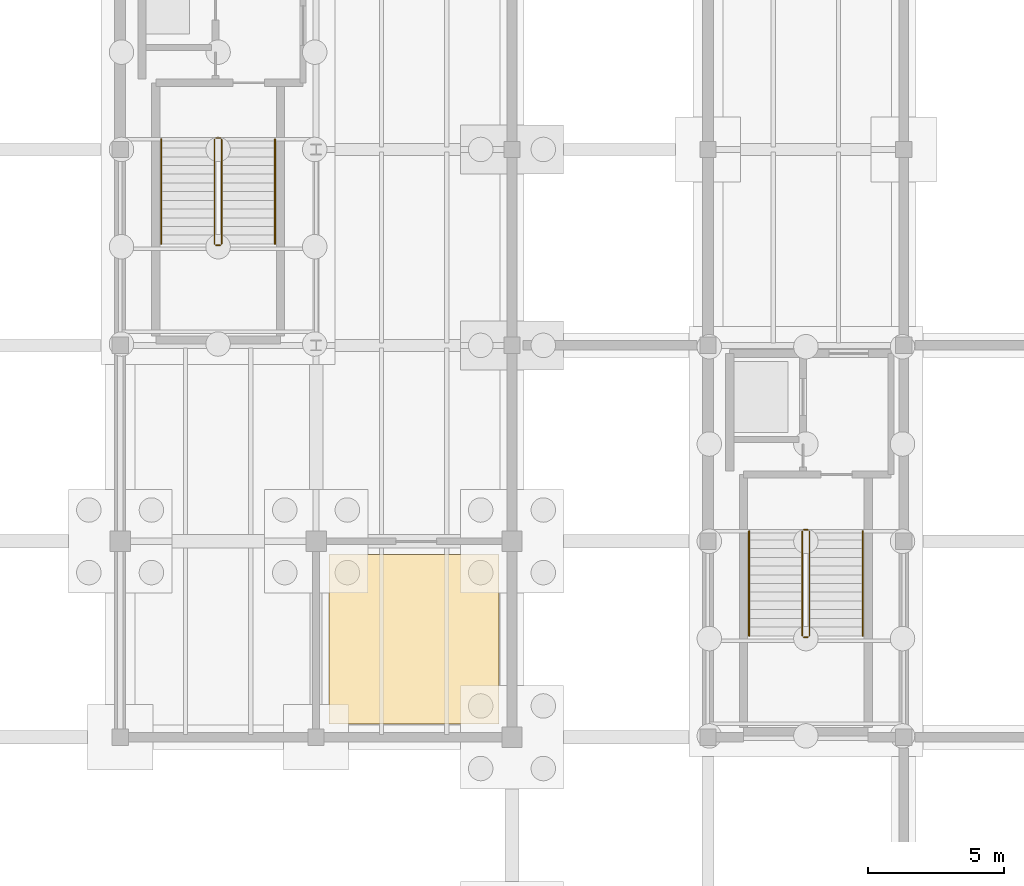
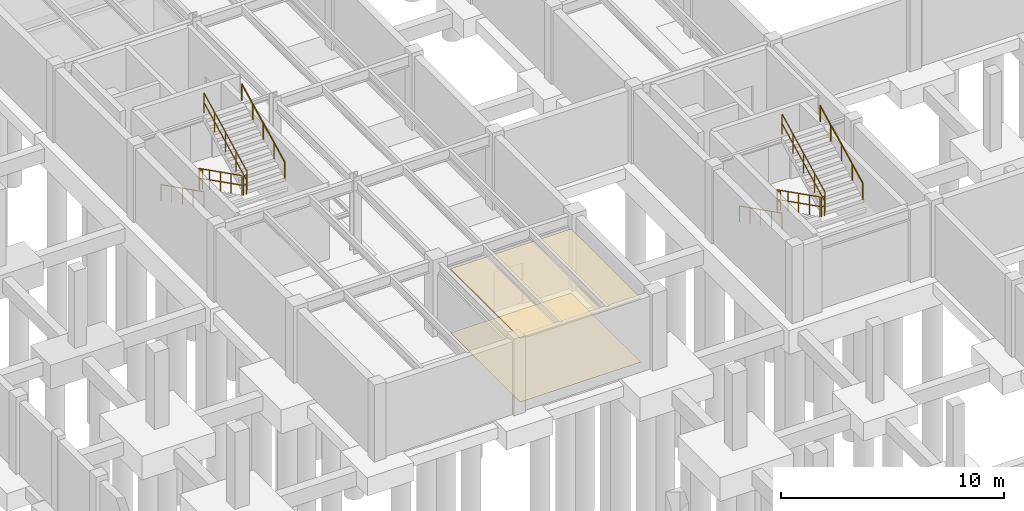
# One storey, part 40 of 46: 12 railings, 2 coverings.
"""IFC4 building model written with IfcOpenShell, lengths in metres."""

from ifc_helpers import new_model, si_unit, direction, frame, origin, origin_2d, place, context, subcontext, project, spatial, polyline, circle, outline, extrude, material, layer, layer_set, type_object, element, save


model = new_model("IFC4")

# Units and contexts
model_context = context("Model", 3, precision=1e-05, world=origin(), true_north=direction((0.0, 1.0)))
body_context = subcontext(model_context, "Body", "Model", "MODEL_VIEW")
ifc_project = project(units=[si_unit("LENGTHUNIT", "METRE"), si_unit("AREAUNIT", "SQUARE_METRE"), si_unit("VOLUMEUNIT", "CUBIC_METRE"), si_unit("PLANEANGLEUNIT", "RADIAN"), si_unit("MASSUNIT", "GRAM", prefix="KILO")], contexts=[model_context])

# Site, building, storey
site_placement = place(None, origin())
site = spatial("IfcSite", under=ifc_project, at=site_placement, CompositionType="ELEMENT")
building_placement = place(site_placement, origin())
building = spatial("IfcBuilding", under=site, at=building_placement, Name="Sillqori Civic Hall", CompositionType="ELEMENT")
storey_placement = place(building_placement, frame((0.0, 0.0, -4.199951171875)))
storey = spatial("IfcBuildingStorey", under=building, at=storey_placement, Name="B01", CompositionType="ELEMENT", Elevation=-4.199951171875)

# Coverings
ifc_material_1 = material(Name="Andean Cedar Slatted Baffle 52", Category="timber")
ifc_layer_1 = layer(ifc_material_1, 0.052001953125)
ifc_layer_set_1 = layer_set([ifc_layer_1], Name="Andean Cedar Slatted Baffle 52")
covering_type_1 = type_object("IfcCoveringType", Name="COV-CEIL-T52", PredefinedType="CEILING", material=ifc_layer_set_1)
covering_1_placement = place(storey_placement, frame((0.0, 0.0, 3.47802734375)))
element("IfcCovering", 1, at=covering_1_placement, inside=storey, type_object=covering_type_1, Name="Main Medium-Voltage Transformer Room acoustic ceiling", PredefinedType="CEILING", context=body_context, shape_type="SweptSolid", body=[
    extrude(outline(polyline([(29.280029296875, 36.47998046875), (35.52001953125, 36.47998046875), (35.52001953125, 42.719970703125), (29.280029296875, 42.719970703125), (29.280029296875, 36.47998046875)])), origin(), (0.0, 0.0, 1.0), 0.052001953125),
])
ifc_material_2 = material(Name="Dust-Sealed Heavy-Duty Archive Epoxy", Category="resin")
ifc_layer_2 = layer(ifc_material_2, 0.014892578125)
ifc_layer_set_2 = layer_set([ifc_layer_2], Name="Dust-Sealed Heavy-Duty Archive Epoxy")
covering_type_2 = type_object("IfcCoveringType", Name="COV-FLR-EPX", PredefinedType="FLOORING", material=ifc_layer_set_2)
covering_2_placement = place(storey_placement, origin())
element("IfcCovering", 2, at=covering_2_placement, inside=storey, type_object=covering_type_2, Name="Main Medium-Voltage Transformer Room floor finish", PredefinedType="FLOORING", context=body_context, shape_type="SweptSolid", body=[
    extrude(outline(polyline([(29.280029296875, 36.47998046875), (35.52001953125, 36.47998046875), (35.52001953125, 42.719970703125), (29.280029296875, 42.719970703125), (29.280029296875, 36.47998046875)])), origin(), (0.0, 0.0, 1.0), 0.014892578125),
])

# Railings
ifc_material_3 = material(Name="Brushed Stainless Steel 316 Handrail", Category="steel")
ifc_layer_3 = layer(ifc_material_3, 0.044921875)
ifc_layer_set_3 = layer_set([ifc_layer_3], Name="Brushed Stainless Steel 316 Handrail")
railing_type_1 = type_object("IfcRailingType", Name="RLG-CORE-092", PredefinedType="HANDRAIL", material=ifc_layer_set_3)
railing_1_placement = place(storey_placement, frame((44.7099609375, 43.570068359375, 0.161376953125)))
element("IfcRailing", 3, at=railing_1_placement, inside=storey, type_object=railing_type_1, Name="B01 ST-01 stair handrail 1", PredefinedType="HANDRAIL", context=body_context, shape_type="SweptSolid", body=[
    extrude(circle(Radius=0.02392578125, at=origin_2d()), frame((0.0, 0.0, 0.8759765625), z_axis=(0.0, -0.892706606903, 0.450638340569), x_axis=(1.0, 0.0, 0.0)), (0.0, 0.0, 1.0), 4.301513671875),
    extrude(circle(Radius=0.02099609375, at=origin_2d()), origin(), (0.0, 0.0, 1.0), 0.851806640625),
    extrude(circle(Radius=0.02099609375, at=origin_2d()), frame((0.0, -0.9599609375, 0.484619140625)), (0.0, 0.0, 1.0), 0.851806640625),
    extrude(circle(Radius=0.02099609375, at=origin_2d()), frame((0.0, -1.919921875, 0.96923828125)), (0.0, 0.0, 1.0), 0.851806640625),
    extrude(circle(Radius=0.02099609375, at=origin_2d()), frame((0.0, -2.880126953125, 1.453857421875)), (0.0, 0.0, 1.0), 0.851806640625),
    extrude(circle(Radius=0.02099609375, at=origin_2d()), frame((0.0, -3.840087890625, 1.9384765625)), (0.0, 0.0, 1.0), 0.851806640625),
])
railing_2_placement = place(storey_placement, frame((48.889892578125, 39.72998046875, 2.261474609375)))
element("IfcRailing", 4, at=railing_2_placement, inside=storey, type_object=railing_type_1, Name="B01 ST-01 stair handrail 2", PredefinedType="HANDRAIL", context=body_context, shape_type="SweptSolid", body=[
    extrude(circle(Radius=0.02392578125, at=origin_2d()), frame((0.0, 0.0, 0.8759765625), z_axis=(0.0, 0.892706606903, 0.450638340569), x_axis=(-1.0, 0.0, 0.0)), (0.0, 0.0, 1.0), 4.301513671875),
    extrude(circle(Radius=0.02099609375, at=origin_2d()), origin(), (0.0, 0.0, 1.0), 0.851806640625),
    extrude(circle(Radius=0.02099609375, at=origin_2d()), frame((0.0, 0.9599609375, 0.484619140625)), (0.0, 0.0, 1.0), 0.851806640625),
    extrude(circle(Radius=0.02099609375, at=origin_2d()), frame((0.0, 1.919921875, 0.96923828125)), (0.0, 0.0, 1.0), 0.851806640625),
    extrude(circle(Radius=0.02099609375, at=origin_2d()), frame((0.0, 2.880126953125, 1.453857421875)), (0.0, 0.0, 1.0), 0.851806640625),
    extrude(circle(Radius=0.02099609375, at=origin_2d()), frame((0.0, 3.840087890625, 1.9384765625)), (0.0, 0.0, 1.0), 0.851806640625),
])
railing_3_placement = place(storey_placement, frame((23.110107421875, 57.969970703125, 0.161376953125)))
element("IfcRailing", 5, at=railing_3_placement, inside=storey, type_object=railing_type_1, Name="B01 ST-04 stair handrail 1", PredefinedType="HANDRAIL", context=body_context, shape_type="SweptSolid", body=[
    extrude(circle(Radius=0.02392578125, at=origin_2d()), frame((0.0, 0.0, 0.8759765625), z_axis=(0.0, -0.892706606903, 0.450638340569), x_axis=(1.0, 0.0, 0.0)), (0.0, 0.0, 1.0), 4.301513671875),
    extrude(circle(Radius=0.02099609375, at=origin_2d()), origin(), (0.0, 0.0, 1.0), 0.851806640625),
    extrude(circle(Radius=0.02099609375, at=origin_2d()), frame((0.0, -0.9599609375, 0.484619140625)), (0.0, 0.0, 1.0), 0.851806640625),
    extrude(circle(Radius=0.02099609375, at=origin_2d()), frame((0.0, -1.919921875, 0.96923828125)), (0.0, 0.0, 1.0), 0.851806640625),
    extrude(circle(Radius=0.02099609375, at=origin_2d()), frame((0.0, -2.880126953125, 1.453857421875)), (0.0, 0.0, 1.0), 0.851806640625),
    extrude(circle(Radius=0.02099609375, at=origin_2d()), frame((0.0, -3.840087890625, 1.9384765625)), (0.0, 0.0, 1.0), 0.851806640625),
])
railing_4_placement = place(storey_placement, frame((27.2900390625, 54.1298828125, 2.261474609375)))
element("IfcRailing", 6, at=railing_4_placement, inside=storey, type_object=railing_type_1, Name="B01 ST-04 stair handrail 2", PredefinedType="HANDRAIL", context=body_context, shape_type="SweptSolid", body=[
    extrude(circle(Radius=0.02392578125, at=origin_2d()), frame((0.0, 0.0, 0.8759765625), z_axis=(0.0, 0.892706606903, 0.450638340569), x_axis=(-1.0, 0.0, 0.0)), (0.0, 0.0, 1.0), 4.301513671875),
    extrude(circle(Radius=0.02099609375, at=origin_2d()), origin(), (0.0, 0.0, 1.0), 0.851806640625),
    extrude(circle(Radius=0.02099609375, at=origin_2d()), frame((0.0, 0.9599609375, 0.484619140625)), (0.0, 0.0, 1.0), 0.851806640625),
    extrude(circle(Radius=0.02099609375, at=origin_2d()), frame((0.0, 1.919921875, 0.96923828125)), (0.0, 0.0, 1.0), 0.851806640625),
    extrude(circle(Radius=0.02099609375, at=origin_2d()), frame((0.0, 2.880126953125, 1.453857421875)), (0.0, 0.0, 1.0), 0.851806640625),
    extrude(circle(Radius=0.02099609375, at=origin_2d()), frame((0.0, 3.840087890625, 1.9384765625)), (0.0, 0.0, 1.0), 0.851806640625),
])
ifc_material_4 = material(Name="Galvanized Painted Steel Guardrail", Category="steel")
ifc_layer_4 = layer(ifc_material_4, 0.050048828125)
ifc_layer_set_4 = layer_set([ifc_layer_4], Name="Galvanized Painted Steel Guardrail")
railing_type_2 = type_object("IfcRailingType", Name="RLG-CORE-110", PredefinedType="GUARDRAIL", material=ifc_layer_set_4)
railing_5_placement = place(storey_placement, frame((46.669921875, 43.570068359375, 0.161376953125)))
element("IfcRailing", 7, at=railing_5_placement, inside=storey, type_object=railing_type_2, Name="B01 ST-01 stair guard 1", PredefinedType="GUARDRAIL", context=body_context, shape_type="SweptSolid", body=[
    extrude(circle(Radius=0.02392578125, at=origin_2d()), frame((0.0, 0.0, 1.076171875), z_axis=(0.0, -0.892706606903, 0.450638340569), x_axis=(1.0, 0.0, 0.0)), (0.0, 0.0, 1.0), 4.301513671875),
    extrude(circle(Radius=0.02392578125, at=origin_2d()), frame((0.0, 0.0, 0.550048828125), z_axis=(0.0, -0.892706606903, 0.450638340569), x_axis=(1.0, 0.0, 0.0)), (0.0, 0.0, 1.0), 4.301513671875),
    extrude(circle(Radius=0.02099609375, at=origin_2d()), origin(), (0.0, 0.0, 1.0), 1.052001953125),
    extrude(circle(Radius=0.02099609375, at=origin_2d()), frame((0.0, -0.9599609375, 0.484619140625)), (0.0, 0.0, 1.0), 1.052001953125),
    extrude(circle(Radius=0.02099609375, at=origin_2d()), frame((0.0, -1.919921875, 0.96923828125)), (0.0, 0.0, 1.0), 1.052001953125),
    extrude(circle(Radius=0.02099609375, at=origin_2d()), frame((0.0, -2.880126953125, 1.453857421875)), (0.0, 0.0, 1.0), 1.052001953125),
    extrude(circle(Radius=0.02099609375, at=origin_2d()), frame((0.0, -3.840087890625, 1.9384765625)), (0.0, 0.0, 1.0), 1.052001953125),
])
railing_6_placement = place(storey_placement, frame((46.719970703125, 39.679931640625, 2.099853515625)))
element("IfcRailing", 8, at=railing_6_placement, inside=storey, type_object=railing_type_2, Name="B01 ST-01 stair guard 2", PredefinedType="GUARDRAIL", context=body_context, shape_type="SweptSolid", body=[
    extrude(circle(Radius=0.02392578125, at=origin_2d()), frame((0.0, 0.0, 1.076171875), z_axis=(1.0, 0.0, 0.0), x_axis=(0.0, 1.0, 0.0)), (0.0, 0.0, 1.0), 0.159912109375),
    extrude(circle(Radius=0.02392578125, at=origin_2d()), frame((0.0, 0.0, 0.550048828125), z_axis=(1.0, 0.0, 0.0), x_axis=(0.0, 1.0, 0.0)), (0.0, 0.0, 1.0), 0.159912109375),
    extrude(circle(Radius=0.02099609375, at=origin_2d()), origin(), (0.0, 0.0, 1.0), 1.052001953125),
    extrude(circle(Radius=0.02099609375, at=origin_2d()), frame((0.159912109375, 0.0, 0.0)), (0.0, 0.0, 1.0), 1.052001953125),
])
railing_7_placement = place(storey_placement, frame((46.929931640625, 39.72998046875, 2.261474609375)))
element("IfcRailing", 9, at=railing_7_placement, inside=storey, type_object=railing_type_2, Name="B01 ST-01 stair guard 3", PredefinedType="GUARDRAIL", context=body_context, shape_type="SweptSolid", body=[
    extrude(circle(Radius=0.02392578125, at=origin_2d()), frame((0.0, 0.0, 1.076171875), z_axis=(0.0, 0.892706606903, 0.450638340569), x_axis=(-1.0, 0.0, 0.0)), (0.0, 0.0, 1.0), 4.301513671875),
    extrude(circle(Radius=0.02392578125, at=origin_2d()), frame((0.0, 0.0, 0.550048828125), z_axis=(0.0, 0.892706606903, 0.450638340569), x_axis=(-1.0, 0.0, 0.0)), (0.0, 0.0, 1.0), 4.301513671875),
    extrude(circle(Radius=0.02099609375, at=origin_2d()), origin(), (0.0, 0.0, 1.0), 1.052001953125),
    extrude(circle(Radius=0.02099609375, at=origin_2d()), frame((0.0, 0.9599609375, 0.484619140625)), (0.0, 0.0, 1.0), 1.052001953125),
    extrude(circle(Radius=0.02099609375, at=origin_2d()), frame((0.0, 1.919921875, 0.96923828125)), (0.0, 0.0, 1.0), 1.052001953125),
    extrude(circle(Radius=0.02099609375, at=origin_2d()), frame((0.0, 2.880126953125, 1.453857421875)), (0.0, 0.0, 1.0), 1.052001953125),
    extrude(circle(Radius=0.02099609375, at=origin_2d()), frame((0.0, 3.840087890625, 1.9384765625)), (0.0, 0.0, 1.0), 1.052001953125),
])
railing_8_placement = place(storey_placement, frame((46.719970703125, 43.6201171875, 0.0)))
element("IfcRailing", 10, at=railing_8_placement, inside=storey, type_object=railing_type_2, Name="B01 ST-01 stair guard 4", PredefinedType="GUARDRAIL", context=body_context, shape_type="SweptSolid", body=[
    extrude(circle(Radius=0.02392578125, at=origin_2d()), frame((0.0, 0.0, 1.076171875), z_axis=(1.0, 0.0, 0.0), x_axis=(0.0, 1.0, 0.0)), (0.0, 0.0, 1.0), 0.159912109375),
    extrude(circle(Radius=0.02392578125, at=origin_2d()), frame((0.0, 0.0, 0.550048828125), z_axis=(1.0, 0.0, 0.0), x_axis=(0.0, 1.0, 0.0)), (0.0, 0.0, 1.0), 0.159912109375),
    extrude(circle(Radius=0.02099609375, at=origin_2d()), origin(), (0.0, 0.0, 1.0), 1.052001953125),
    extrude(circle(Radius=0.02099609375, at=origin_2d()), frame((0.159912109375, 0.0, 0.0)), (0.0, 0.0, 1.0), 1.052001953125),
])
railing_9_placement = place(storey_placement, frame((25.070068359375, 57.969970703125, 0.161376953125)))
element("IfcRailing", 11, at=railing_9_placement, inside=storey, type_object=railing_type_2, Name="B01 ST-04 stair guard 1", PredefinedType="GUARDRAIL", context=body_context, shape_type="SweptSolid", body=[
    extrude(circle(Radius=0.02392578125, at=origin_2d()), frame((0.0, 0.0, 1.076171875), z_axis=(0.0, -0.892706606903, 0.450638340569), x_axis=(1.0, 0.0, 0.0)), (0.0, 0.0, 1.0), 4.301513671875),
    extrude(circle(Radius=0.02392578125, at=origin_2d()), frame((0.0, 0.0, 0.550048828125), z_axis=(0.0, -0.892706606903, 0.450638340569), x_axis=(1.0, 0.0, 0.0)), (0.0, 0.0, 1.0), 4.301513671875),
    extrude(circle(Radius=0.02099609375, at=origin_2d()), origin(), (0.0, 0.0, 1.0), 1.052001953125),
    extrude(circle(Radius=0.02099609375, at=origin_2d()), frame((0.0, -0.9599609375, 0.484619140625)), (0.0, 0.0, 1.0), 1.052001953125),
    extrude(circle(Radius=0.02099609375, at=origin_2d()), frame((0.0, -1.919921875, 0.96923828125)), (0.0, 0.0, 1.0), 1.052001953125),
    extrude(circle(Radius=0.02099609375, at=origin_2d()), frame((0.0, -2.880126953125, 1.453857421875)), (0.0, 0.0, 1.0), 1.052001953125),
    extrude(circle(Radius=0.02099609375, at=origin_2d()), frame((0.0, -3.840087890625, 1.9384765625)), (0.0, 0.0, 1.0), 1.052001953125),
])
railing_10_placement = place(storey_placement, frame((25.1201171875, 54.080078125, 2.099853515625)))
element("IfcRailing", 12, at=railing_10_placement, inside=storey, type_object=railing_type_2, Name="B01 ST-04 stair guard 2", PredefinedType="GUARDRAIL", context=body_context, shape_type="SweptSolid", body=[
    extrude(circle(Radius=0.02392578125, at=origin_2d()), frame((0.0, 0.0, 1.076171875), z_axis=(1.0, 0.0, 0.0), x_axis=(0.0, 1.0, 0.0)), (0.0, 0.0, 1.0), 0.159912109375),
    extrude(circle(Radius=0.02392578125, at=origin_2d()), frame((0.0, 0.0, 0.550048828125), z_axis=(1.0, 0.0, 0.0), x_axis=(0.0, 1.0, 0.0)), (0.0, 0.0, 1.0), 0.159912109375),
    extrude(circle(Radius=0.02099609375, at=origin_2d()), origin(), (0.0, 0.0, 1.0), 1.052001953125),
    extrude(circle(Radius=0.02099609375, at=origin_2d()), frame((0.159912109375, 0.0, 0.0)), (0.0, 0.0, 1.0), 1.052001953125),
])
railing_11_placement = place(storey_placement, frame((25.330078125, 54.1298828125, 2.261474609375)))
element("IfcRailing", 13, at=railing_11_placement, inside=storey, type_object=railing_type_2, Name="B01 ST-04 stair guard 3", PredefinedType="GUARDRAIL", context=body_context, shape_type="SweptSolid", body=[
    extrude(circle(Radius=0.02392578125, at=origin_2d()), frame((0.0, 0.0, 1.076171875), z_axis=(0.0, 0.892706606903, 0.450638340569), x_axis=(-1.0, 0.0, 0.0)), (0.0, 0.0, 1.0), 4.301513671875),
    extrude(circle(Radius=0.02392578125, at=origin_2d()), frame((0.0, 0.0, 0.550048828125), z_axis=(0.0, 0.892706606903, 0.450638340569), x_axis=(-1.0, 0.0, 0.0)), (0.0, 0.0, 1.0), 4.301513671875),
    extrude(circle(Radius=0.02099609375, at=origin_2d()), origin(), (0.0, 0.0, 1.0), 1.052001953125),
    extrude(circle(Radius=0.02099609375, at=origin_2d()), frame((0.0, 0.9599609375, 0.484619140625)), (0.0, 0.0, 1.0), 1.052001953125),
    extrude(circle(Radius=0.02099609375, at=origin_2d()), frame((0.0, 1.919921875, 0.96923828125)), (0.0, 0.0, 1.0), 1.052001953125),
    extrude(circle(Radius=0.02099609375, at=origin_2d()), frame((0.0, 2.880126953125, 1.453857421875)), (0.0, 0.0, 1.0), 1.052001953125),
    extrude(circle(Radius=0.02099609375, at=origin_2d()), frame((0.0, 3.840087890625, 1.9384765625)), (0.0, 0.0, 1.0), 1.052001953125),
])
railing_12_placement = place(storey_placement, frame((25.1201171875, 58.02001953125, 0.0)))
element("IfcRailing", 14, at=railing_12_placement, inside=storey, type_object=railing_type_2, Name="B01 ST-04 stair guard 4", PredefinedType="GUARDRAIL", context=body_context, shape_type="SweptSolid", body=[
    extrude(circle(Radius=0.02392578125, at=origin_2d()), frame((0.0, 0.0, 1.076171875), z_axis=(1.0, 0.0, 0.0), x_axis=(0.0, 1.0, 0.0)), (0.0, 0.0, 1.0), 0.159912109375),
    extrude(circle(Radius=0.02392578125, at=origin_2d()), frame((0.0, 0.0, 0.550048828125), z_axis=(1.0, 0.0, 0.0), x_axis=(0.0, 1.0, 0.0)), (0.0, 0.0, 1.0), 0.159912109375),
    extrude(circle(Radius=0.02099609375, at=origin_2d()), origin(), (0.0, 0.0, 1.0), 1.052001953125),
    extrude(circle(Radius=0.02099609375, at=origin_2d()), frame((0.159912109375, 0.0, 0.0)), (0.0, 0.0, 1.0), 1.052001953125),
])

save(model, "model.ifc")
